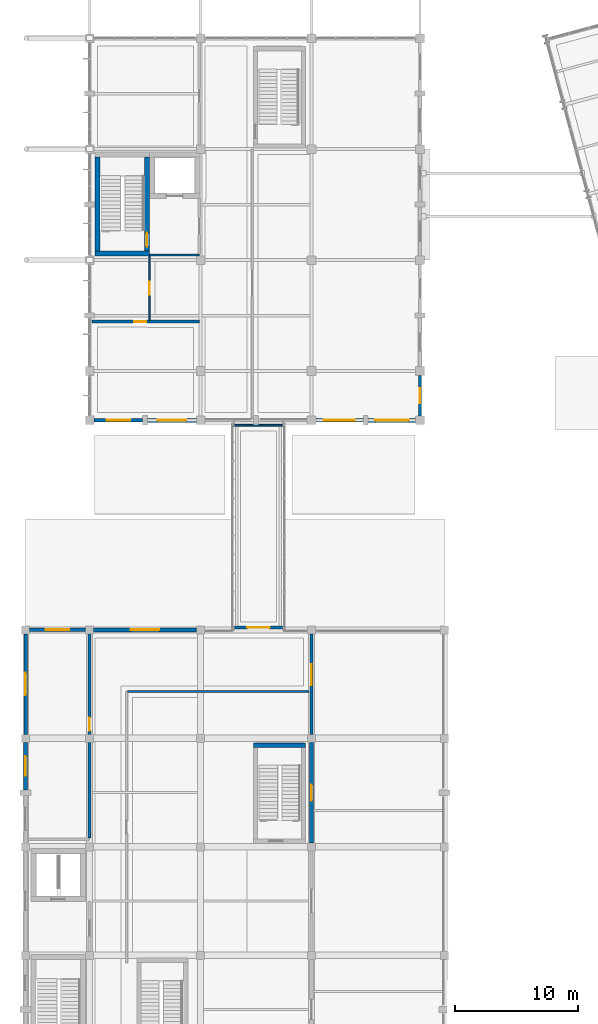
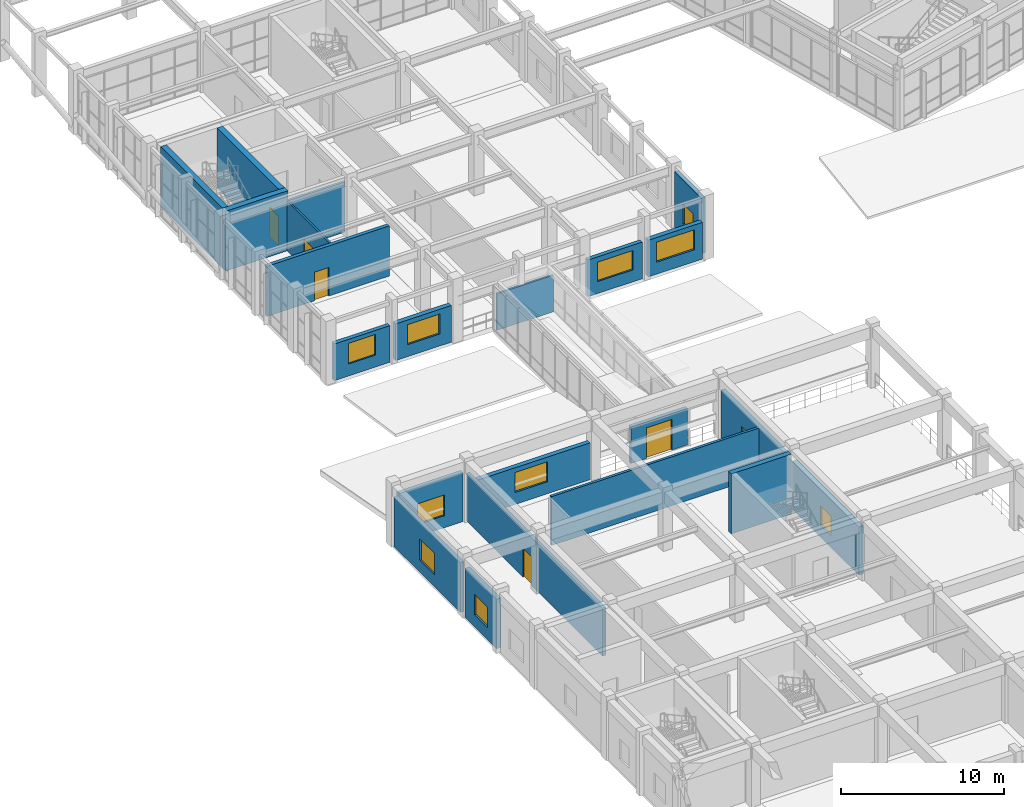
# One storey, part 82 of 104: 22 walls, 11 windows, 5 doors, 16 openings.
"""IFC4 building model written with IfcOpenShell, lengths in metres."""

from ifc_helpers import new_model, si_unit, direction, frame, frame_2d, origin, place, context, subcontext, project, spatial, rectangle, extrude, material, layer, layer_set, type_object, element, fill, save


model = new_model("IFC4")

# Units and contexts
model_context = context("Model", 3, precision=1e-05, world=origin(), true_north=direction((0.0, 1.0)))
body_context = subcontext(model_context, "Body", "Model", "MODEL_VIEW")
ifc_project = project(units=[si_unit("LENGTHUNIT", "METRE"), si_unit("AREAUNIT", "SQUARE_METRE"), si_unit("VOLUMEUNIT", "CUBIC_METRE"), si_unit("PLANEANGLEUNIT", "RADIAN"), si_unit("MASSUNIT", "GRAM", prefix="KILO")], contexts=[model_context])

# Site, building, storey
site_placement = place(None, origin())
site = spatial("IfcSite", under=ifc_project, at=site_placement, CompositionType="ELEMENT")
building_placement = place(site_placement, origin())
building = spatial("IfcBuilding", under=site, at=building_placement, Name="Ventoquebrada Cableway Terminal", CompositionType="ELEMENT")
storey_placement = place(building_placement, frame((0.0, 0.0, 4.800048828125)))
storey = spatial("IfcBuildingStorey", under=building, at=storey_placement, Name="L01", CompositionType="ELEMENT", Elevation=4.800048828125)

# Wall
ifc_material_1 = material(Name="Concrete C40/50", Category="concrete")
ifc_layer_1 = layer(ifc_material_1, 0.39990234375)
ifc_layer_set_1 = layer_set([ifc_layer_1], Name="Concrete C40/50")
wall_type_1 = type_object("IfcWallType", Name="WL-CR1", PredefinedType="SHEAR", material=ifc_layer_set_1)
wall_1_placement = place(storey_placement, frame((8.64990234375, 77.550048828125, 0.0), z_axis=(0.0, 0.0, 1.0), x_axis=(1.0, 0.0, 0.0)))
element("IfcWall", 1, at=wall_1_placement, inside=storey, type_object=wall_type_1, Name="Core shear wall IW-0057", PredefinedType="SHEAR", context=body_context, shape_type="SweptSolid", body=[
    extrude(rectangle(XDim=4.400146484375, YDim=0.39990234375, at=frame_2d((2.2001953125, 0.0))), origin(), (0.0, 0.0, 1.0), 4.489990234375),
])

# Wall, opening, door
wall_2_placement = place(storey_placement, frame((12.85009765625, 77.75, 0.0), z_axis=(0.0, 0.0, 1.0), x_axis=(0.0, 1.0, 0.0)))
wall_2 = element("IfcWall", 2, at=wall_2_placement, inside=storey, type_object=wall_type_1, Name="Core shear wall IW-0058", PredefinedType="SHEAR", context=body_context, shape_type="SweptSolid", body=[
    extrude(rectangle(XDim=7.60009765625, YDim=0.39990234375, at=frame_2d((3.800048828125, 0.0))), origin(), (0.0, 0.0, 1.0), 4.489990234375),
])
opening_1_placement = place(wall_2_placement, frame((0.35009765625, 0.0, 0.0)))
opening_1 = element("IfcOpeningElement", 3, at=opening_1_placement, cuts=wall_2, Name="Opening D-007", PredefinedType="OPENING", context=body_context, shape_type="SweptSolid", body=[
    extrude(rectangle(XDim=1.10009765625, YDim=2.199951171875, at=frame_2d((0.550048828125, 1.10009765625))), frame((0.0, 0.2099609375, 0.0), z_axis=(0.0, -1.0, 0.0), x_axis=(1.0, 0.0, 0.0)), (0.0, 0.0, 1.0), 0.419921875),
])
ifc_material_2 = material(Name="Galvanized fire-rated steel door assembly", Category="steel")
door_type_1 = type_object("IfcDoorType", Name="DT-IN05", OperationType="SINGLE_SWING_LEFT", PredefinedType="DOOR", material=ifc_material_2)
door_1_placement = place(opening_1_placement, origin())
door_1 = element("IfcDoor", 4, at=door_1_placement, inside=storey, type_object=door_type_1, Name="Core K3-S stair fire door D-007", OperationType="SINGLE_SWING_RIGHT", OverallHeight=2.199951171875, OverallWidth=1.10009765625, PredefinedType="DOOR", context=body_context, shape_type="SweptSolid", body=[
    extrude(rectangle(XDim=1.10009765625, YDim=2.199951171875, at=frame_2d((0.550048828125, 1.10009765625))), frame((0.0, 0.02490234375, 0.0), z_axis=(0.0, -1.0, 0.0), x_axis=(1.0, 0.0, 0.0)), (0.0, 0.0, 1.0), 0.050048828125),
])
fill(opening_1, door_1)

# Wall
wall_3_placement = place(storey_placement, frame((8.85009765625, 85.35009765625, 0.0), z_axis=(0.0, 0.0, 1.0), x_axis=(0.0, -1.0, 0.0)))
element("IfcWall", 5, at=wall_3_placement, inside=storey, type_object=wall_type_1, Name="Core shear wall IW-0060", PredefinedType="SHEAR", context=body_context, shape_type="SweptSolid", body=[
    extrude(rectangle(XDim=7.60009765625, YDim=0.39990234375, at=frame_2d((3.800048828125, 0.0))), origin(), (0.0, 0.0, 1.0), 4.489990234375),
])

# Wall, opening, window
ifc_material_3 = material(Name="Precast architectural concrete C40/50", Category="concrete")
ifc_layer_2 = layer(ifc_material_3, 0.280029296875)
ifc_layer_set_2 = layer_set([ifc_layer_2], Name="Precast architectural concrete C40/50")
wall_type_2 = type_object("IfcWallType", Name="WL-EX1", PredefinedType="SOLIDWALL", material=ifc_layer_set_2)
wall_4_placement = place(storey_placement, frame((26.199951171875, 38.52001953125, 0.0), z_axis=(0.0, 0.0, 1.0), x_axis=(0.0, 1.0, 0.0)))
wall_4 = element("IfcWall", 6, at=wall_4_placement, inside=storey, type_object=wall_type_2, Name="Exterior architectural wall EW-0097", PredefinedType="SOLIDWALL", context=body_context, shape_type="SweptSolid", body=[
    extrude(rectangle(XDim=8.159912109375, YDim=0.280029296875, at=frame_2d((4.080078125, 0.0))), origin(), (0.0, 0.0, 1.0), 3.60986328125),
])
opening_2_placement = place(wall_4_placement, frame((3.97998046875, 0.0, 0.89990234375)))
opening_2 = element("IfcOpeningElement", 7, at=opening_2_placement, cuts=wall_4, Name="Opening WN-016", PredefinedType="OPENING", context=body_context, shape_type="SweptSolid", body=[
    extrude(rectangle(XDim=1.699951171875, YDim=1.5, at=frame_2d((0.85009765625, 0.75))), frame((0.0, 0.14990234375, 0.0), z_axis=(0.0, -1.0, 0.0), x_axis=(1.0, 0.0, 0.0)), (0.0, 0.0, 1.0), 0.300048828125),
])
ifc_material_4 = material(Name="Double low-e laminated safety glazing", Category="glass")
window_type_1 = type_object("IfcWindowType", Name="WT-16", PartitioningType="SINGLE_PANEL", PredefinedType="WINDOW", material=ifc_material_4)
window_1_placement = place(opening_2_placement, origin())
window_1 = element("IfcWindow", 8, at=window_1_placement, inside=storey, type_object=window_type_1, Name="Architectural punched window WN-016", OverallHeight=1.5, OverallWidth=1.699951171875, PartitioningType="SINGLE_PANEL", PredefinedType="WINDOW", context=body_context, shape_type="SweptSolid", body=[
    extrude(rectangle(XDim=1.699951171875, YDim=1.5, at=frame_2d((0.85009765625, 0.75))), frame((0.0, 0.030029296875, 0.0), z_axis=(0.0, -1.0, 0.0), x_axis=(1.0, 0.0, 0.0)), (0.0, 0.0, 1.0), 0.06005859375),
])
fill(opening_2, window_1)

wall_5_placement = place(storey_placement, frame((7.8798828125, 47.0, 0.0), z_axis=(0.0, 0.0, 1.0), x_axis=(-1.0, 0.0, 0.0)))
wall_5 = element("IfcWall", 9, at=wall_5_placement, inside=storey, type_object=wall_type_2, Name="Exterior architectural wall EW-0098", PredefinedType="SOLIDWALL", context=body_context, shape_type="SweptSolid", body=[
    extrude(rectangle(XDim=4.559814453125, YDim=0.280029296875, at=frame_2d((2.27978515625, 0.0))), origin(), (0.0, 0.0, 1.0), 3.675048828125),
])
opening_3_placement = place(wall_5_placement, frame((1.330078125, 0.0, 0.89990234375)))
opening_3 = element("IfcOpeningElement", 10, at=opening_3_placement, cuts=wall_5, Name="Opening WN-017", PredefinedType="OPENING", context=body_context, shape_type="SweptSolid", body=[
    extrude(rectangle(XDim=1.89990234375, YDim=1.550048828125, at=frame_2d((0.949951171875, 0.77490234375))), frame((0.0, 0.14990234375, 0.0), z_axis=(0.0, -1.0, 0.0), x_axis=(1.0, 0.0, 0.0)), (0.0, 0.0, 1.0), 0.300048828125),
])
window_type_2 = type_object("IfcWindowType", Name="WT-17", PartitioningType="SINGLE_PANEL", PredefinedType="WINDOW", material=ifc_material_4)
window_2_placement = place(opening_3_placement, origin())
window_2 = element("IfcWindow", 11, at=window_2_placement, inside=storey, type_object=window_type_2, Name="Architectural punched window WN-017", OverallHeight=1.550048828125, OverallWidth=1.89990234375, PartitioningType="SINGLE_PANEL", PredefinedType="WINDOW", context=body_context, shape_type="SweptSolid", body=[
    extrude(rectangle(XDim=1.89990234375, YDim=1.550048828125, at=frame_2d((0.949951171875, 0.77490234375))), frame((0.0, 0.030029296875, 0.0), z_axis=(0.0, -1.0, 0.0), x_axis=(1.0, 0.0, 0.0)), (0.0, 0.0, 1.0), 0.06005859375),
])
fill(opening_3, window_2)

wall_6_placement = place(storey_placement, frame((3.0, 46.679931640625, 0.0), z_axis=(0.0, 0.0, 1.0), x_axis=(0.0, -1.0, 0.0)))
wall_6 = element("IfcWall", 12, at=wall_6_placement, inside=storey, type_object=wall_type_2, Name="Exterior architectural wall EW-0107", PredefinedType="SOLIDWALL", context=body_context, shape_type="SweptSolid", body=[
    extrude(rectangle(XDim=8.159912109375, YDim=0.280029296875, at=frame_2d((4.080078125, 0.0))), origin(), (0.0, 0.0, 1.0), 3.7099609375),
])
opening_4_placement = place(wall_6_placement, frame((3.179931640625, 0.0, 0.89990234375)))
opening_4 = element("IfcOpeningElement", 13, at=opening_4_placement, cuts=wall_6, Name="Opening WN-026", PredefinedType="OPENING", context=body_context, shape_type="SweptSolid", body=[
    extrude(rectangle(XDim=1.800048828125, YDim=1.60009765625, at=frame_2d((0.89990234375, 0.800048828125))), frame((0.0, 0.14990234375, 0.0), z_axis=(0.0, -1.0, 0.0), x_axis=(1.0, 0.0, 0.0)), (0.0, 0.0, 1.0), 0.300048828125),
])
window_type_3 = type_object("IfcWindowType", Name="WT-06", PartitioningType="SINGLE_PANEL", PredefinedType="WINDOW", material=ifc_material_4)
window_3_placement = place(opening_4_placement, origin())
window_3 = element("IfcWindow", 14, at=window_3_placement, inside=storey, type_object=window_type_3, Name="Architectural punched window WN-026", OverallHeight=1.60009765625, OverallWidth=1.800048828125, PartitioningType="SINGLE_PANEL", PredefinedType="WINDOW", context=body_context, shape_type="SweptSolid", body=[
    extrude(rectangle(XDim=1.800048828125, YDim=1.60009765625, at=frame_2d((0.89990234375, 0.800048828125))), frame((0.0, 0.030029296875, 0.0), z_axis=(0.0, -1.0, 0.0), x_axis=(1.0, 0.0, 0.0)), (0.0, 0.0, 1.0), 0.06005859375),
])
fill(opening_4, window_3)

wall_7_placement = place(storey_placement, frame((8.544921875, 64.0, 0.0), z_axis=(0.0, 0.0, 1.0), x_axis=(1.0, 0.0, 0.0)))
wall_7 = element("IfcWall", 15, at=wall_7_placement, inside=storey, type_object=wall_type_2, Name="Exterior architectural wall EW-0143", PredefinedType="SOLIDWALL", context=body_context, shape_type="SweptSolid", body=[
    extrude(rectangle(XDim=3.9599609375, YDim=0.280029296875, at=frame_2d((1.97998046875, 0.0))), origin(), (0.0, 0.0, 1.0), 2.751953125),
])
opening_5_placement = place(wall_7_placement, frame((1.030029296875, 0.0, 0.89990234375)))
opening_5 = element("IfcOpeningElement", 16, at=opening_5_placement, cuts=wall_7, Name="Opening WN-057", PredefinedType="OPENING", context=body_context, shape_type="SweptSolid", body=[
    extrude(rectangle(XDim=1.89990234375, YDim=1.550048828125, at=frame_2d((0.949951171875, 0.77490234375))), frame((0.0, 0.14990234375, 0.0), z_axis=(0.0, -1.0, 0.0), x_axis=(1.0, 0.0, 0.0)), (0.0, 0.0, 1.0), 0.300048828125),
])
window_4_placement = place(opening_5_placement, origin())
window_4 = element("IfcWindow", 17, at=window_4_placement, inside=storey, type_object=window_type_2, Name="Architectural punched window WN-057", OverallHeight=1.550048828125, OverallWidth=1.89990234375, PartitioningType="SINGLE_PANEL", PredefinedType="WINDOW", context=body_context, shape_type="SweptSolid", body=[
    extrude(rectangle(XDim=1.89990234375, YDim=1.550048828125, at=frame_2d((0.949951171875, 0.77490234375))), frame((0.0, 0.030029296875, 0.0), z_axis=(0.0, -1.0, 0.0), x_axis=(1.0, 0.0, 0.0)), (0.0, 0.0, 1.0), 0.06005859375),
])
fill(opening_5, window_4)

wall_8_placement = place(storey_placement, frame((26.544921875, 64.0, 0.0), z_axis=(0.0, 0.0, 1.0), x_axis=(1.0, 0.0, 0.0)))
wall_8 = element("IfcWall", 18, at=wall_8_placement, inside=storey, type_object=wall_type_2, Name="Exterior architectural wall EW-0145", PredefinedType="SOLIDWALL", context=body_context, shape_type="SweptSolid", body=[
    extrude(rectangle(XDim=3.860107421875, YDim=0.280029296875, at=frame_2d((1.93017578125, 0.0))), origin(), (0.0, 0.0, 1.0), 2.751953125),
])
opening_6_placement = place(wall_8_placement, frame((0.679931640625, 0.0, 0.89990234375)))
opening_6 = element("IfcOpeningElement", 19, at=opening_6_placement, cuts=wall_8, Name="Opening WN-059", PredefinedType="OPENING", context=body_context, shape_type="SweptSolid", body=[
    extrude(rectangle(XDim=2.5, YDim=1.449951171875, at=frame_2d((1.25, 0.72509765625))), frame((0.0, 0.14990234375, 0.0), z_axis=(0.0, -1.0, 0.0), x_axis=(1.0, 0.0, 0.0)), (0.0, 0.0, 1.0), 0.300048828125),
])
window_type_4 = type_object("IfcWindowType", Name="WT-19", PartitioningType="SINGLE_PANEL", PredefinedType="WINDOW", material=ifc_material_4)
window_5_placement = place(opening_6_placement, origin())
window_5 = element("IfcWindow", 20, at=window_5_placement, inside=storey, type_object=window_type_4, Name="Architectural punched window WN-059", OverallHeight=1.449951171875, OverallWidth=2.5, PartitioningType="SINGLE_PANEL", PredefinedType="WINDOW", context=body_context, shape_type="SweptSolid", body=[
    extrude(rectangle(XDim=2.5, YDim=1.449951171875, at=frame_2d((1.25, 0.72509765625))), frame((0.0, 0.030029296875, 0.0), z_axis=(0.0, -1.0, 0.0), x_axis=(1.0, 0.0, 0.0)), (0.0, 0.0, 1.0), 0.06005859375),
])
fill(opening_6, window_5)

wall_9_placement = place(storey_placement, frame((35.0, 64.344970703125, 0.0), z_axis=(0.0, 0.0, 1.0), x_axis=(0.0, 1.0, 0.0)))
wall_9 = element("IfcWall", 21, at=wall_9_placement, inside=storey, type_object=wall_type_2, Name="Exterior architectural wall EW-0147", PredefinedType="SOLIDWALL", context=body_context, shape_type="SweptSolid", body=[
    extrude(rectangle(XDim=3.31005859375, YDim=0.280029296875, at=frame_2d((1.655029296875, 0.0))), origin(), (0.0, 0.0, 1.0), 4.159912109375),
])
opening_7_placement = place(wall_9_placement, frame((1.054931640625, 0.0, 0.89990234375)))
opening_7 = element("IfcOpeningElement", 22, at=opening_7_placement, cuts=wall_9, Name="Opening WN-061", PredefinedType="OPENING", context=body_context, shape_type="SweptSolid", body=[
    extrude(rectangle(XDim=1.199951171875, YDim=1.5, at=frame_2d((0.60009765625, 0.75))), frame((0.0, 0.14990234375, 0.0), z_axis=(0.0, -1.0, 0.0), x_axis=(1.0, 0.0, 0.0)), (0.0, 0.0, 1.0), 0.300048828125),
])
window_type_5 = type_object("IfcWindowType", Name="WT-01", PartitioningType="SINGLE_PANEL", PredefinedType="WINDOW", material=ifc_material_4)
window_6_placement = place(opening_7_placement, origin())
window_6 = element("IfcWindow", 23, at=window_6_placement, inside=storey, type_object=window_type_5, Name="Architectural punched window WN-061", OverallHeight=1.5, OverallWidth=1.199951171875, PartitioningType="SINGLE_PANEL", PredefinedType="WINDOW", context=body_context, shape_type="SweptSolid", body=[
    extrude(rectangle(XDim=1.199951171875, YDim=1.5, at=frame_2d((0.60009765625, 0.75))), frame((0.0, 0.030029296875, 0.0), z_axis=(0.0, -1.0, 0.0), x_axis=(1.0, 0.0, 0.0)), (0.0, 0.0, 1.0), 0.06005859375),
])
fill(opening_7, window_6)

ifc_layer_3 = layer(ifc_material_3, 0.320068359375)
ifc_layer_set_3 = layer_set([ifc_layer_3], Name="Precast architectural concrete C40/50")
wall_type_3 = type_object("IfcWallType", Name="WL-EX2", PredefinedType="SOLIDWALL", material=ifc_layer_set_3)
wall_10_placement = place(storey_placement, frame((26.199951171875, 29.719970703125, 0.0), z_axis=(0.0, 0.0, 1.0), x_axis=(0.0, 1.0, 0.0)))
wall_10 = element("IfcWall", 24, at=wall_10_placement, inside=storey, type_object=wall_type_3, Name="Exterior architectural wall EW-0096", PredefinedType="SOLIDWALL", context=body_context, shape_type="SweptSolid", body=[
    extrude(rectangle(XDim=8.159912109375, YDim=0.320068359375, at=frame_2d((4.080078125, 0.0))), origin(), (0.0, 0.0, 1.0), 3.60986328125),
])
opening_8_placement = place(wall_10_placement, frame((3.429931640625, 0.0, 0.89990234375)))
opening_8 = element("IfcOpeningElement", 25, at=opening_8_placement, cuts=wall_10, Name="Opening WN-015", PredefinedType="OPENING", context=body_context, shape_type="SweptSolid", body=[
    extrude(rectangle(XDim=1.300048828125, YDim=1.449951171875, at=frame_2d((0.64990234375, 0.72509765625))), frame((0.0, 0.169921875, 0.0), z_axis=(0.0, -1.0, 0.0), x_axis=(1.0, 0.0, 0.0)), (0.0, 0.0, 1.0), 0.340087890625),
])
window_type_6 = type_object("IfcWindowType", Name="WT-15", PartitioningType="SINGLE_PANEL", PredefinedType="WINDOW", material=ifc_material_4)
window_7_placement = place(opening_8_placement, origin())
window_7 = element("IfcWindow", 26, at=window_7_placement, inside=storey, type_object=window_type_6, Name="Architectural punched window WN-015", OverallHeight=1.449951171875, OverallWidth=1.300048828125, PartitioningType="SINGLE_PANEL", PredefinedType="WINDOW", context=body_context, shape_type="SweptSolid", body=[
    extrude(rectangle(XDim=1.300048828125, YDim=1.449951171875, at=frame_2d((0.64990234375, 0.72509765625))), frame((0.0, 0.030029296875, 0.0), z_axis=(0.0, -1.0, 0.0), x_axis=(1.0, 0.0, 0.0)), (0.0, 0.0, 1.0), 0.06005859375),
])
fill(opening_8, window_7)

wall_11_placement = place(storey_placement, frame((16.8798828125, 47.0, 0.0), z_axis=(0.0, 0.0, 1.0), x_axis=(-1.0, 0.0, 0.0)))
wall_11 = element("IfcWall", 27, at=wall_11_placement, inside=storey, type_object=wall_type_3, Name="Exterior architectural wall EW-0099", PredefinedType="SOLIDWALL", context=body_context, shape_type="SweptSolid", body=[
    extrude(rectangle(XDim=8.35986328125, YDim=0.320068359375, at=frame_2d((4.179931640625, 0.0))), origin(), (0.0, 0.0, 1.0), 2.751953125),
])
opening_9_placement = place(wall_11_placement, frame((3.030029296875, 0.0, 0.89990234375)))
opening_9 = element("IfcOpeningElement", 28, at=opening_9_placement, cuts=wall_11, Name="Opening WN-018", PredefinedType="OPENING", context=body_context, shape_type="SweptSolid", body=[
    extrude(rectangle(XDim=2.300048828125, YDim=1.5, at=frame_2d((1.14990234375, 0.75))), frame((0.0, 0.169921875, 0.0), z_axis=(0.0, -1.0, 0.0), x_axis=(1.0, 0.0, 0.0)), (0.0, 0.0, 1.0), 0.340087890625),
])
window_type_7 = type_object("IfcWindowType", Name="WT-18", PartitioningType="SINGLE_PANEL", PredefinedType="WINDOW", material=ifc_material_4)
window_8_placement = place(opening_9_placement, origin())
window_8 = element("IfcWindow", 29, at=window_8_placement, inside=storey, type_object=window_type_7, Name="Architectural punched window WN-018", OverallHeight=1.5, OverallWidth=2.300048828125, PartitioningType="SINGLE_PANEL", PredefinedType="WINDOW", context=body_context, shape_type="SweptSolid", body=[
    extrude(rectangle(XDim=2.300048828125, YDim=1.5, at=frame_2d((1.14990234375, 0.75))), frame((0.0, 0.030029296875, 0.0), z_axis=(0.0, -1.0, 0.0), x_axis=(1.0, 0.0, 0.0)), (0.0, 0.0, 1.0), 0.06005859375),
])
fill(opening_9, window_8)

wall_12_placement = place(storey_placement, frame((3.0, 37.8798828125, 0.0), z_axis=(0.0, 0.0, 1.0), x_axis=(0.0, -1.0, 0.0)))
wall_12 = element("IfcWall", 30, at=wall_12_placement, inside=storey, type_object=wall_type_3, Name="Exterior architectural wall EW-0105", PredefinedType="SOLIDWALL", context=body_context, shape_type="SweptSolid", body=[
    extrude(rectangle(XDim=3.85986328125, YDim=0.320068359375, at=frame_2d((1.929931640625, 0.0))), origin(), (0.0, 0.0, 1.0), 3.7099609375),
])
opening_10_placement = place(wall_12_placement, frame((1.1298828125, 0.0, 0.89990234375)))
opening_10 = element("IfcOpeningElement", 31, at=opening_10_placement, cuts=wall_12, Name="Opening WN-024", PredefinedType="OPENING", context=body_context, shape_type="SweptSolid", body=[
    extrude(rectangle(XDim=1.60009765625, YDim=1.550048828125, at=frame_2d((0.800048828125, 0.77490234375))), frame((0.0, 0.169921875, 0.0), z_axis=(0.0, -1.0, 0.0), x_axis=(1.0, 0.0, 0.0)), (0.0, 0.0, 1.0), 0.340087890625),
])
window_type_8 = type_object("IfcWindowType", Name="WT-04", PartitioningType="SINGLE_PANEL", PredefinedType="WINDOW", material=ifc_material_4)
window_9_placement = place(opening_10_placement, origin())
window_9 = element("IfcWindow", 32, at=window_9_placement, inside=storey, type_object=window_type_8, Name="Architectural punched window WN-024", OverallHeight=1.550048828125, OverallWidth=1.60009765625, PartitioningType="SINGLE_PANEL", PredefinedType="WINDOW", context=body_context, shape_type="SweptSolid", body=[
    extrude(rectangle(XDim=1.60009765625, YDim=1.550048828125, at=frame_2d((0.800048828125, 0.77490234375))), frame((0.0, 0.030029296875, 0.0), z_axis=(0.0, -1.0, 0.0), x_axis=(1.0, 0.0, 0.0)), (0.0, 0.0, 1.0), 0.06005859375),
])
fill(opening_10, window_9)

wall_13_placement = place(storey_placement, frame((12.89501953125, 64.0, 0.0), z_axis=(0.0, 0.0, 1.0), x_axis=(1.0, 0.0, 0.0)))
wall_13 = element("IfcWall", 33, at=wall_13_placement, inside=storey, type_object=wall_type_3, Name="Exterior architectural wall EW-0144", PredefinedType="SOLIDWALL", context=body_context, shape_type="SweptSolid", body=[
    extrude(rectangle(XDim=3.9599609375, YDim=0.320068359375, at=frame_2d((1.97998046875, 0.0))), origin(), (0.0, 0.0, 1.0), 2.751953125),
])
opening_11_placement = place(wall_13_placement, frame((0.830078125, 0.0, 0.89990234375)))
opening_11 = element("IfcOpeningElement", 34, at=opening_11_placement, cuts=wall_13, Name="Opening WN-058", PredefinedType="OPENING", context=body_context, shape_type="SweptSolid", body=[
    extrude(rectangle(XDim=2.300048828125, YDim=1.5, at=frame_2d((1.14990234375, 0.75))), frame((0.0, 0.169921875, 0.0), z_axis=(0.0, -1.0, 0.0), x_axis=(1.0, 0.0, 0.0)), (0.0, 0.0, 1.0), 0.340087890625),
])
window_10_placement = place(opening_11_placement, origin())
window_10 = element("IfcWindow", 35, at=window_10_placement, inside=storey, type_object=window_type_7, Name="Architectural punched window WN-058", OverallHeight=1.5, OverallWidth=2.300048828125, PartitioningType="SINGLE_PANEL", PredefinedType="WINDOW", context=body_context, shape_type="SweptSolid", body=[
    extrude(rectangle(XDim=2.300048828125, YDim=1.5, at=frame_2d((1.14990234375, 0.75))), frame((0.0, 0.030029296875, 0.0), z_axis=(0.0, -1.0, 0.0), x_axis=(1.0, 0.0, 0.0)), (0.0, 0.0, 1.0), 0.06005859375),
])
fill(opening_11, window_10)

wall_14_placement = place(storey_placement, frame((30.794921875, 64.0, 0.0), z_axis=(0.0, 0.0, 1.0), x_axis=(1.0, 0.0, 0.0)))
wall_14 = element("IfcWall", 36, at=wall_14_placement, inside=storey, type_object=wall_type_3, Name="Exterior architectural wall EW-0146", PredefinedType="SOLIDWALL", context=body_context, shape_type="SweptSolid", body=[
    extrude(rectangle(XDim=3.860107421875, YDim=0.320068359375, at=frame_2d((1.93017578125, 0.0))), origin(), (0.0, 0.0, 1.0), 2.751953125),
])
opening_12_placement = place(wall_14_placement, frame((0.580078125, 0.0, 0.89990234375)))
opening_12 = element("IfcOpeningElement", 37, at=opening_12_placement, cuts=wall_14, Name="Opening WN-060", PredefinedType="OPENING", context=body_context, shape_type="SweptSolid", body=[
    extrude(rectangle(XDim=2.699951171875, YDim=1.5, at=frame_2d((1.35009765625, 0.75))), frame((0.0, 0.169921875, 0.0), z_axis=(0.0, -1.0, 0.0), x_axis=(1.0, 0.0, 0.0)), (0.0, 0.0, 1.0), 0.340087890625),
])
window_type_9 = type_object("IfcWindowType", Name="WT-20", PartitioningType="SINGLE_PANEL", PredefinedType="WINDOW", material=ifc_material_4)
window_11_placement = place(opening_12_placement, origin())
window_11 = element("IfcWindow", 38, at=window_11_placement, inside=storey, type_object=window_type_9, Name="Architectural punched window WN-060", OverallHeight=1.5, OverallWidth=2.699951171875, PartitioningType="SINGLE_PANEL", PredefinedType="WINDOW", context=body_context, shape_type="SweptSolid", body=[
    extrude(rectangle(XDim=2.699951171875, YDim=1.5, at=frame_2d((1.35009765625, 0.75))), frame((0.0, 0.030029296875, 0.0), z_axis=(0.0, -1.0, 0.0), x_axis=(1.0, 0.0, 0.0)), (0.0, 0.0, 1.0), 0.06005859375),
])
fill(opening_12, window_11)

# Wall, opening, door
ifc_material_5 = material(Name="Fire-rated gypsum partition board on steel framing", Category="steel")
ifc_layer_4 = layer(ifc_material_5, 0.1201171875)
ifc_layer_set_4 = layer_set([ifc_layer_4], Name="Fire-rated gypsum partition board on steel framing")
wall_type_4 = type_object("IfcWallType", Name="WL-PT1", PredefinedType="PARTITIONING", material=ifc_layer_set_4)
wall_15_placement = place(storey_placement, frame((13.050048828125, 72.12109375, 0.0), z_axis=(0.0, 0.0, 1.0), x_axis=(0.0, 1.0, 0.0)))
wall_15 = element("IfcWall", 39, at=wall_15_placement, inside=storey, type_object=wall_type_4, Name="Interior partition IW-0361", PredefinedType="PARTITIONING", context=body_context, shape_type="SweptSolid", body=[
    extrude(rectangle(XDim=5.198974609375, YDim=0.1201171875, at=frame_2d((2.599609375, 0.0))), origin(), (0.0, 0.0, 1.0), 3.761962890625),
])
opening_13_placement = place(wall_15_placement, frame((2.073974609375, 0.0, 0.0)))
opening_13 = element("IfcOpeningElement", 40, at=opening_13_placement, cuts=wall_15, Name="Opening D-092", PredefinedType="OPENING", context=body_context, shape_type="SweptSolid", body=[
    extrude(rectangle(XDim=1.050048828125, YDim=2.14990234375, at=frame_2d((0.52490234375, 1.074951171875))), frame((0.0, 0.070068359375, 0.0), z_axis=(0.0, -1.0, 0.0), x_axis=(1.0, 0.0, 0.0)), (0.0, 0.0, 1.0), 0.14013671875),
])
ifc_material_6 = material(Name="Fire-retardant oak acoustic door leaf")
door_type_2 = type_object("IfcDoorType", Name="DT-IN03", OperationType="SINGLE_SWING_LEFT", PredefinedType="DOOR", material=ifc_material_6)
door_2_placement = place(opening_13_placement, origin())
door_2 = element("IfcDoor", 41, at=door_2_placement, inside=storey, type_object=door_type_2, Name="L01 Accessible WC Door D-092", OperationType="SINGLE_SWING_LEFT", OverallHeight=2.14990234375, OverallWidth=1.050048828125, PredefinedType="DOOR", context=body_context, shape_type="SweptSolid", body=[
    extrude(rectangle(XDim=1.050048828125, YDim=2.14990234375, at=frame_2d((0.52490234375, 1.074951171875))), frame((0.0, 0.02490234375, 0.0), z_axis=(0.0, -1.0, 0.0), x_axis=(1.0, 0.0, 0.0)), (0.0, 0.0, 1.0), 0.050048828125),
])
fill(opening_13, door_2)

ifc_material_7 = material(Name="Autoclaved aerated concrete blockwork", Category="masonry")
ifc_layer_5 = layer(ifc_material_7, 0.2451171875)
ifc_layer_set_5 = layer_set([ifc_layer_5], Name="Autoclaved aerated concrete blockwork")
wall_type_5 = type_object("IfcWallType", Name="WL-PT10", PredefinedType="PARTITIONING", material=ifc_layer_set_5)
wall_16_placement = place(storey_placement, frame((8.39990234375, 72.0, 0.0), z_axis=(0.0, 0.0, 1.0), x_axis=(1.0, 0.0, 0.0)))
wall_16 = element("IfcWall", 42, at=wall_16_placement, inside=storey, type_object=wall_type_5, Name="Interior partition IW-0360", PredefinedType="PARTITIONING", context=body_context, shape_type="SweptSolid", body=[
    extrude(rectangle(XDim=8.7001953125, YDim=0.2451171875, at=frame_2d((4.35009765625, 0.0))), origin(), (0.0, 0.0, 1.0), 3.761962890625),
])
opening_14_placement = place(wall_16_placement, frame((3.39990234375, 0.0, 0.0)))
opening_14 = element("IfcOpeningElement", 43, at=opening_14_placement, cuts=wall_16, Name="Opening D-091", PredefinedType="OPENING", context=body_context, shape_type="SweptSolid", body=[
    extrude(rectangle(XDim=1.0, YDim=2.14990234375, at=frame_2d((0.5, 1.074951171875))), frame((0.0, 0.132568359375, 0.0), z_axis=(0.0, -1.0, 0.0), x_axis=(1.0, 0.0, 0.0)), (0.0, 0.0, 1.0), 0.26513671875),
])
door_type_3 = type_object("IfcDoorType", Name="DT-IN02", OperationType="SINGLE_SWING_RIGHT", PredefinedType="DOOR", material=ifc_material_6)
door_3_placement = place(opening_14_placement, origin())
door_3 = element("IfcDoor", 44, at=door_3_placement, inside=storey, type_object=door_type_3, Name="Briefing Classroom Door D-091", OperationType="SINGLE_SWING_RIGHT", OverallHeight=2.14990234375, OverallWidth=1.0, PredefinedType="DOOR", context=body_context, shape_type="SweptSolid", body=[
    extrude(rectangle(XDim=1.0, YDim=2.14990234375, at=frame_2d((0.5, 1.074951171875))), frame((0.0, 0.02490234375, 0.0), z_axis=(0.0, -1.0, 0.0), x_axis=(1.0, 0.0, 0.0)), (0.0, 0.0, 1.0), 0.050048828125),
])
fill(opening_14, door_3)

# Wall
ifc_layer_6 = layer(ifc_material_5, 0.179931640625)
ifc_layer_set_6 = layer_set([ifc_layer_6], Name="Fire-rated gypsum partition board on steel framing")
wall_type_6 = type_object("IfcWallType", Name="WL-PT3", PredefinedType="STANDARD", material=ifc_layer_set_6)
wall_17_placement = place(storey_placement, frame((11.27294921875, 42.0, 0.0), z_axis=(0.0, 0.0, 1.0), x_axis=(1.0, 0.0, 0.0)))
element("IfcWall", 45, at=wall_17_placement, inside=storey, type_object=wall_type_6, Name="Interior partition IW-0353", PredefinedType="STANDARD", context=body_context, shape_type="SweptSolid", body=[
    extrude(rectangle(XDim=14.72705078125, YDim=0.179931640625, at=frame_2d((7.363525390625, 0.0))), origin(), (0.0, 0.0, 1.0), 3.6650390625),
])

# Wall, opening, door
ifc_layer_7 = layer(ifc_material_7, 0.22998046875)
ifc_layer_set_7 = layer_set([ifc_layer_7], Name="Autoclaved aerated concrete blockwork")
wall_type_7 = type_object("IfcWallType", Name="WL-PT5", PredefinedType="PARTITIONING", material=ifc_layer_set_7)
wall_18_placement = place(storey_placement, frame((8.199951171875, 30.097900390625, 0.0), z_axis=(0.0, 0.0, 1.0), x_axis=(0.0, 1.0, 0.0)))
wall_18 = element("IfcWall", 46, at=wall_18_placement, inside=storey, type_object=wall_type_7, Name="Interior partition IW-0355", PredefinedType="PARTITIONING", context=body_context, shape_type="SweptSolid", body=[
    extrude(rectangle(XDim=16.7021484375, YDim=0.22998046875, at=frame_2d((8.35107421875, 0.0))), origin(), (0.0, 0.0, 1.0), 3.599853515625),
])
opening_15_placement = place(wall_18_placement, frame((8.72607421875, 0.0, 0.0)))
opening_15 = element("IfcOpeningElement", 47, at=opening_15_placement, cuts=wall_18, Name="Opening D-088", PredefinedType="OPENING", context=body_context, shape_type="SweptSolid", body=[
    extrude(rectangle(XDim=1.050048828125, YDim=2.14990234375, at=frame_2d((0.52490234375, 1.074951171875))), frame((0.0, 0.125, 0.0), z_axis=(0.0, -1.0, 0.0), x_axis=(1.0, 0.0, 0.0)), (0.0, 0.0, 1.0), 0.25),
])
door_4_placement = place(opening_15_placement, origin())
door_4 = element("IfcDoor", 48, at=door_4_placement, inside=storey, type_object=door_type_2, Name="Mezzanine Accessible WC Door D-088", OperationType="SINGLE_SWING_LEFT", OverallHeight=2.14990234375, OverallWidth=1.050048828125, PredefinedType="DOOR", context=body_context, shape_type="SweptSolid", body=[
    extrude(rectangle(XDim=1.050048828125, YDim=2.14990234375, at=frame_2d((0.52490234375, 1.074951171875))), frame((0.0, 0.02490234375, 0.0), z_axis=(0.0, -1.0, 0.0), x_axis=(1.0, 0.0, 0.0)), (0.0, 0.0, 1.0), 0.050048828125),
])
fill(opening_15, door_4)

ifc_layer_8 = layer(ifc_material_7, 0.260009765625)
ifc_layer_set_8 = layer_set([ifc_layer_8], Name="Autoclaved aerated concrete blockwork")
wall_type_8 = type_object("IfcWallType", Name="WL-PT6", PredefinedType="PARTITIONING", material=ifc_layer_set_8)
wall_19_placement = place(storey_placement, frame((19.89990234375, 47.199951171875, 0.0), z_axis=(0.0, 0.0, 1.0), x_axis=(1.0, 0.0, 0.0)))
wall_19 = element("IfcWall", 49, at=wall_19_placement, inside=storey, type_object=wall_type_8, Name="Interior partition IW-0356", PredefinedType="PARTITIONING", context=body_context, shape_type="SweptSolid", body=[
    extrude(rectangle(XDim=4.0, YDim=0.260009765625, at=frame_2d((2.0, 0.0))), origin(), (0.0, 0.0, 1.0), 2.741943359375),
])
opening_16_placement = place(wall_19_placement, frame((1.10009765625, 0.0, 0.0)))
opening_16 = element("IfcOpeningElement", 50, at=opening_16_placement, cuts=wall_19, Name="Opening D-089", PredefinedType="OPENING", context=body_context, shape_type="SweptSolid", body=[
    extrude(rectangle(XDim=1.800048828125, YDim=2.300048828125, at=frame_2d((0.89990234375, 1.14990234375))), frame((0.0, 0.139892578125, 0.0), z_axis=(0.0, -1.0, 0.0), x_axis=(1.0, 0.0, 0.0)), (0.0, 0.0, 1.0), 0.280029296875),
])
door_type_4 = type_object("IfcDoorType", Name="DT-IN08", OperationType="DOUBLE_SWING_RIGHT", PredefinedType="DOOR", material=ifc_material_2)
door_5_placement = place(opening_16_placement, origin())
door_5 = element("IfcDoor", 51, at=door_5_placement, inside=storey, type_object=door_type_4, Name="Bridge LP-1 South Smoke Door D-089", OperationType="DOUBLE_SWING_RIGHT", OverallHeight=2.300048828125, OverallWidth=1.800048828125, PredefinedType="DOOR", context=body_context, shape_type="SweptSolid", body=[
    extrude(rectangle(XDim=1.800048828125, YDim=2.300048828125, at=frame_2d((0.89990234375, 1.14990234375))), frame((0.0, 0.02490234375, 0.0), z_axis=(0.0, -1.0, 0.0), x_axis=(1.0, 0.0, 0.0)), (0.0, 0.0, 1.0), 0.050048828125),
])
fill(opening_16, door_5)

# Walls
ifc_layer_9 = layer(ifc_material_5, 0.135009765625)
ifc_layer_set_9 = layer_set([ifc_layer_9], Name="Fire-rated gypsum partition board on steel framing")
wall_type_9 = type_object("IfcWallType", Name="WL-PT7", PredefinedType="PARTITIONING", material=ifc_layer_set_9)
wall_20_placement = place(storey_placement, frame((19.89990234375, 63.60009765625, 0.0), z_axis=(0.0, 0.0, 1.0), x_axis=(1.0, 0.0, 0.0)))
element("IfcWall", 52, at=wall_20_placement, inside=storey, type_object=wall_type_9, Name="Interior partition IW-0357", PredefinedType="PARTITIONING", context=body_context, shape_type="SweptSolid", body=[
    extrude(rectangle(XDim=4.0, YDim=0.135009765625, at=frame_2d((2.0, 0.0))), origin(), (0.0, 0.0, 1.0), 2.741943359375),
])
ifc_layer_10 = layer(ifc_material_5, 0.1650390625)
ifc_layer_set_10 = layer_set([ifc_layer_10], Name="Fire-rated gypsum partition board on steel framing")
wall_type_10 = type_object("IfcWallType", Name="WL-PT8", PredefinedType="PARTITIONING", material=ifc_layer_set_10)
wall_21_placement = place(storey_placement, frame((13.050048828125, 77.39990234375, 0.0), z_axis=(0.0, 0.0, 1.0), x_axis=(1.0, 0.0, 0.0)))
element("IfcWall", 53, at=wall_21_placement, inside=storey, type_object=wall_type_10, Name="Interior partition IW-0358", PredefinedType="PARTITIONING", context=body_context, shape_type="SweptSolid", body=[
    extrude(rectangle(XDim=4.050048828125, YDim=0.1650390625, at=frame_2d((2.02490234375, 0.0))), origin(), (0.0, 0.0, 1.0), 3.761962890625),
])
ifc_layer_11 = layer(ifc_material_1, 0.35009765625)
ifc_layer_set_11 = layer_set([ifc_layer_11], Name="Concrete C40/50")
wall_type_11 = type_object("IfcWallType", Name="WL-SH1", PredefinedType="SHEAR", material=ifc_layer_set_11)
wall_22_placement = place(storey_placement, frame((25.72509765625, 37.64990234375, 0.0), z_axis=(0.0, 0.0, 1.0), x_axis=(-1.0, 0.0, 0.0)))
element("IfcWall", 54, at=wall_22_placement, inside=storey, type_object=wall_type_11, Name="Core shear wall IW-0195", PredefinedType="SHEAR", context=body_context, shape_type="SweptSolid", body=[
    extrude(rectangle(XDim=4.25, YDim=0.35009765625, at=frame_2d((2.125, 0.0))), origin(), (0.0, 0.0, 1.0), 4.489990234375),
])

save(model, "model.ifc")
